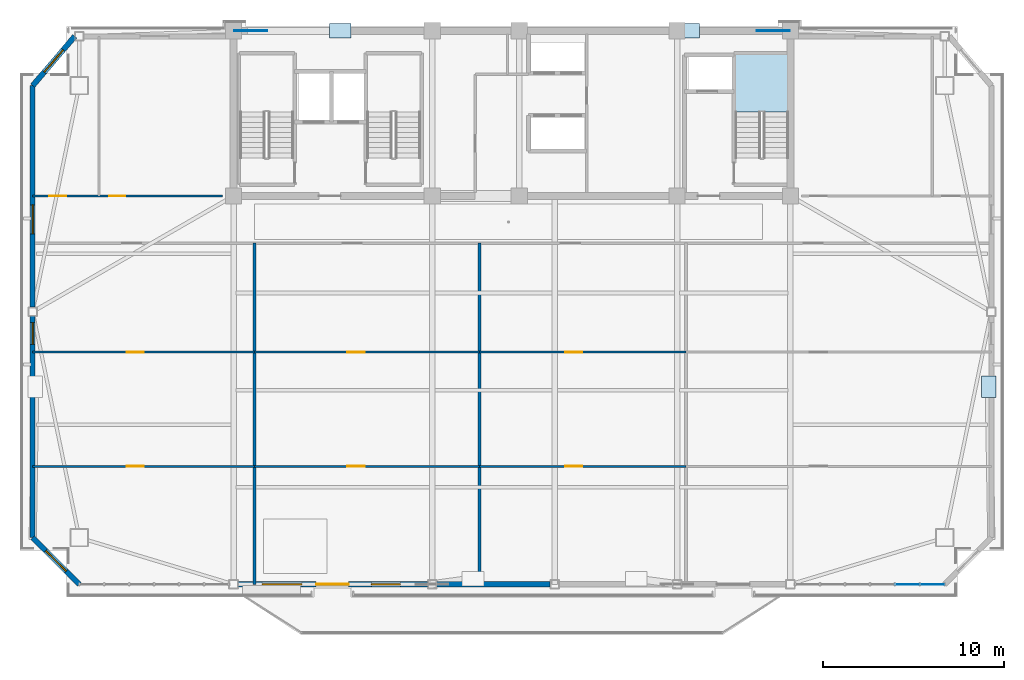
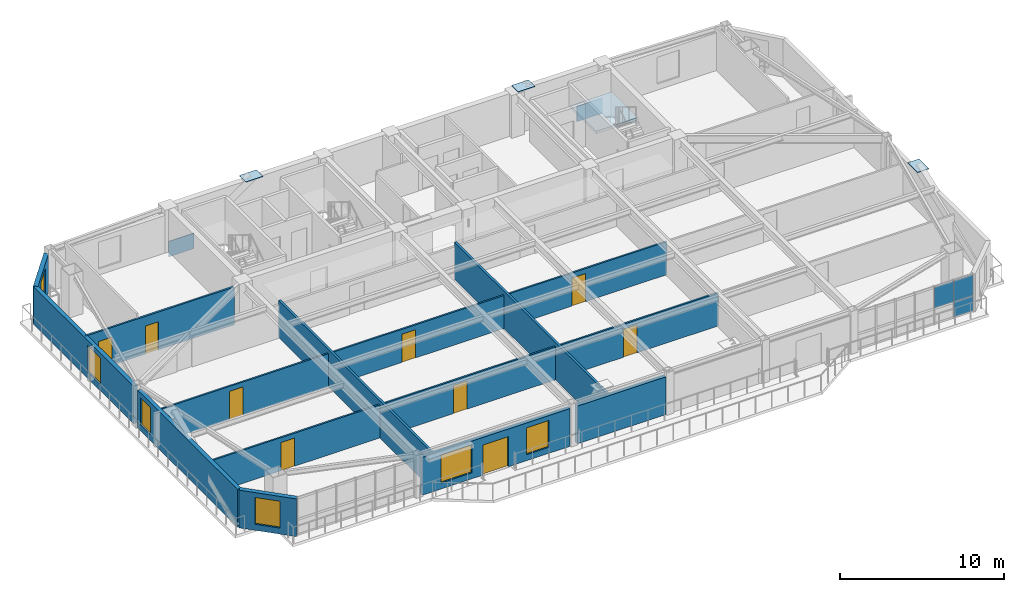
# One storey, part 8 of 18: 15 walls, 9 doors, 8 plates, 6 windows, 1 slab, 15 openings, 2 elements without a shape of their own.
"""IFC4 building model written with IfcOpenShell, lengths in metres."""

from ifc_helpers import new_model, si_unit, direction, frame, frame_2d, origin, origin_2d, place, context, subcontext, project, spatial, polyline, rectangle, outline, extrude, source, transform, mapped, material, layer, layer_set, type_object, element, fill, aggregate, save


model = new_model("IFC4")

# Units and contexts
model_context = context("Model", 3, precision=1e-05, world=origin(), true_north=direction((0.0, 1.0)))
body_context = subcontext(model_context, "Body", "Model", "MODEL_VIEW")
ifc_project = project(units=[si_unit("LENGTHUNIT", "METRE"), si_unit("AREAUNIT", "SQUARE_METRE"), si_unit("VOLUMEUNIT", "CUBIC_METRE"), si_unit("PLANEANGLEUNIT", "RADIAN"), si_unit("MASSUNIT", "GRAM", prefix="KILO")], contexts=[model_context])

# Site, building, storey
site_placement = place(None, origin())
site = spatial("IfcSite", under=ifc_project, at=site_placement, CompositionType="ELEMENT")
building_placement = place(site_placement, origin())
building = spatial("IfcBuilding", under=site, at=building_placement, Name="Giltprow Tower", CompositionType="ELEMENT")
storey_placement = place(building_placement, frame((0.0, 0.0, 258.699951171875)))
storey = spatial("IfcBuildingStorey", under=building, at=storey_placement, Name="L66", CompositionType="ELEMENT", Elevation=258.699951171875)

# Stair, slab
ifc_material_1 = material(Name="Concrete C40", Category="concrete")
stair_type = type_object("IfcStairType", Name="STR-ST-3", PredefinedType="HALF_TURN_STAIR", material=ifc_material_1)
stair_placement = place(storey_placement, origin())
stair = element("IfcStair", 1, at=stair_placement, inside=storey, type_object=stair_type, Name="L66 Core Exit Stair ST-3", PredefinedType="HALF_TURN_STAIR")
ifc_layer_1 = layer(ifc_material_1, 0.196044921875, Name="Concrete C40")
ifc_layer_set_1 = layer_set([ifc_layer_1], Name="Concrete C40")
slab_type = type_object("IfcSlabType", Name="SLD-ST-3", PredefinedType="LANDING", material=ifc_layer_set_1)
slab_placement = place(storey_placement, frame((0.0, 0.0, 1.504150390625)))
slab = element("IfcSlab", 2, at=slab_placement, type_object=slab_type, Name="ST-3 landing 1", PredefinedType="LANDING", context=body_context, shape_type="SweptSolid", body=[
    extrude(outline(polyline([(50.4599609375, 42.070068359375), (50.4599609375, 45.25), (47.5, 45.25), (47.5, 42.070068359375), (50.4599609375, 42.070068359375)])), origin(), (0.0, 0.0, 1.0), 0.19580078125),
])
aggregate(stair, [slab])

# Plates
ifc_material_2 = material(Name="Structural steel Q420GJC", Category="steel")
plate_type_1 = type_object("IfcPlateType", Name="PLT-NODE-MBN1", PredefinedType="USERDEFINED", material=ifc_material_2)
shared_shape_1 = source(origin(), body_context, "Body", "SweptSolid", [
    extrude(rectangle(XDim=1.800048828125, YDim=0.050048828125, at=origin_2d()), origin(), (0.0, 0.0, 1.0), 1.14990234375),
])
for number, where, z_axis, x_axis, name in (
    (3, (20.800048828125, 46.550048828125, -0.71484375), (0.0, 0.0, 1.0), (1.0, 0.0, 0.0), "Mega-Brace Node L66-N-LA"),
    (4, (49.60009765625, 46.550048828125, -0.71484375), (0.0, 0.0, 1.0), (1.0, 0.0, 0.0), "Mega-Brace Node L66-N-RA"),
):
    element("IfcPlate", number, at=place(storey_placement, frame(where, z_axis=z_axis, x_axis=x_axis)), inside=storey, type_object=plate_type_1, Name=name, ObjectType="GUSSET", PredefinedType="USERDEFINED", context=body_context, shape_type="MappedRepresentation", body=[
        mapped(shared_shape_1, transform((0.0, 0.0, 0.0), x_axis=(1.0, 0.0, 0.0), y_axis=(0.0, 1.0, 0.0), z_axis=(0.0, 0.0, 1.0), scale=1.0)),
    ])
plate_type_2 = type_object("IfcPlateType", Name="PLT-CAP-SEAL", PredefinedType="USERDEFINED", material=ifc_material_2)
shared_shape_2 = source(origin(), body_context, "Body", "SweptSolid", [
    extrude(rectangle(XDim=1.199951171875, YDim=0.800048828125, at=origin_2d()), origin(), (0.0, 0.0, 1.0), 0.034912109375),
])
for number, where, z_axis, x_axis, name in (
    (5, (25.73291015625, 46.550048828125, 3.24267578125), (0.0, 0.0, 1.0), (1.0, 0.0, 0.0), "Mega-Brace Node L66-N-LB"),
    (6, (44.93310546875, 46.550048828125, 3.24267578125), (0.0, 0.0, 1.0), (1.0, 0.0, 0.0), "Mega-Brace Node L66-N-RB"),
    (7, (61.48388671875, 26.93505859375, 3.3828125), (0.0, 0.0, 1.0), (0.0, 1.0, 0.0), "Mega-Brace Node L66-E-DB"),
):
    element("IfcPlate", number, at=place(storey_placement, frame(where, z_axis=z_axis, x_axis=x_axis)), inside=storey, type_object=plate_type_2, Name=name, ObjectType="SPLICE", PredefinedType="USERDEFINED", context=body_context, shape_type="MappedRepresentation", body=[
        mapped(shared_shape_2, transform((0.0, 0.0, 0.0), x_axis=(1.0, 0.0, 0.0), y_axis=(0.0, 1.0, 0.0), z_axis=(0.0, 0.0, 1.0), scale=1.0)),
    ])

# Curtain wall, plates
ifc_material_3 = material(Name="Anodized bronze", Category="metal")
ifc_layer_2 = layer(ifc_material_3, 0.179931640625, Name="Anodized bronze")
ifc_layer_set_2 = layer_set([ifc_layer_2], Name="Anodized bronze")
curtain_wall_type = type_object("IfcCurtainWallType", Name="CW-RES-SKY", PredefinedType="NOTDEFINED", material=ifc_layer_set_2)
curtain_wall_placement = place(storey_placement, origin())
curtain_wall = element("IfcCurtainWall", 8, at=curtain_wall_placement, inside=storey, type_object=curtain_wall_type, Name="L66 South Recessed Curtain Wall 6", PredefinedType="NOTDEFINED")
ifc_material_4 = material(Name="Insulated glass", Category="glass")
plate_type_3 = type_object("IfcPlateType", Name="CW-PANEL-IGU-28", PredefinedType="CURTAIN_PANEL", material=ifc_material_4)
shared_shape_3 = source(origin(), body_context, "Body", "SweptSolid", [
    extrude(rectangle(XDim=1.345947265625, YDim=0.028076171875, at=origin_2d()), origin(), (0.0, 0.0, 1.0), 1.114013671875),
])
plate_1_placement = place(storey_placement, frame((58.364990234375, 16.044921875, 0.05419921875), z_axis=(0.0, 0.0, 1.0), x_axis=(1.0, 0.0, 0.0)))
plate_1 = element("IfcPlate", 9, at=plate_1_placement, type_object=plate_type_3, Name="L66 South Recessed Curtain Wall 6 Glazing Panel 6-1", PredefinedType="CURTAIN_PANEL", context=body_context, shape_type="MappedRepresentation", body=[
    mapped(shared_shape_3, transform((0.0, 0.0, 0.0), x_axis=(1.0, 0.0, 0.0), y_axis=(0.0, 1.0, 0.0), z_axis=(0.0, 0.0, 1.0), scale=1.0)),
])
shared_shape_4 = source(origin(), body_context, "Body", "SweptSolid", [
    extrude(rectangle(XDim=1.345947265625, YDim=0.028076171875, at=origin_2d()), origin(), (0.0, 0.0, 1.0), 1.56494140625),
])
plate_2_placement = place(storey_placement, frame((56.989990234375, 16.044921875, 1.195556640625), z_axis=(0.0, 0.0, 1.0), x_axis=(1.0, 0.0, 0.0)))
plate_2 = element("IfcPlate", 10, at=plate_2_placement, type_object=plate_type_3, Name="L66 South Recessed Curtain Wall 6 Glazing Panel 5-2", PredefinedType="CURTAIN_PANEL", context=body_context, shape_type="MappedRepresentation", body=[
    mapped(shared_shape_4, transform((0.0, 0.0, 0.0), x_axis=(1.0, 0.0, 0.0), y_axis=(0.0, 1.0, 0.0), z_axis=(0.0, 0.0, 1.0), scale=1.0)),
])
plate_3_placement = place(storey_placement, frame((58.364990234375, 16.044921875, 1.195556640625), z_axis=(0.0, 0.0, 1.0), x_axis=(1.0, 0.0, 0.0)))
plate_3 = element("IfcPlate", 11, at=plate_3_placement, type_object=plate_type_3, Name="L66 South Recessed Curtain Wall 6 Glazing Panel 6-2", PredefinedType="CURTAIN_PANEL", context=body_context, shape_type="MappedRepresentation", body=[
    mapped(shared_shape_4, transform((0.0, 0.0, 0.0), x_axis=(1.0, 0.0, 0.0), y_axis=(0.0, 1.0, 0.0), z_axis=(0.0, 0.0, 1.0), scale=1.0)),
])
aggregate(curtain_wall, [plate_2, plate_1, plate_3])

# Wall, opening, window
ifc_material_5 = material(Name="Precast concrete C40", Category="concrete")
ifc_layer_3 = layer(ifc_material_5, 0.300048828125, Name="Precast concrete C40")
ifc_layer_set_3 = layer_set([ifc_layer_3], Name="Precast concrete C40")
wall_type_1 = type_object("IfcWallType", Name="EW-NOTCH-CHAMFER-300", PredefinedType="SOLIDWALL", material=ifc_layer_set_3)
wall_1_placement = place(storey_placement, frame((8.779052734375, 18.614013671875, 0.0), z_axis=(0.0, 0.0, 1.0), x_axis=(0.707073180636, -0.70714038014, 0.0)))
wall_1 = element("IfcWall", 12, at=wall_1_placement, inside=storey, type_object=wall_type_1, Name="L66 Corner Notch Wall SW", PredefinedType="SOLIDWALL", context=body_context, shape_type="SweptSolid", body=[
    extrude(rectangle(XDim=3.633056640625, YDim=0.300048828125, at=frame_2d((1.81640625, 0.0))), origin(), (0.0, 0.0, 1.0), 2.81494140625),
])
opening_1_placement = place(wall_1_placement, frame((1.01708984375, 0.0, 0.449951171875)))
opening_1 = element("IfcOpeningElement", 13, at=opening_1_placement, cuts=wall_1, Name="Opening WN17", PredefinedType="OPENING", context=body_context, shape_type="SweptSolid", body=[
    extrude(rectangle(XDim=1.60009765625, YDim=2.0, at=frame_2d((0.800048828125, 1.0))), frame((0.0, 0.159912109375, 0.0), z_axis=(0.0, -1.0, 0.0), x_axis=(1.0, 0.0, 0.0)), (0.0, 0.0, 1.0), 0.320068359375),
])
window_type_1 = type_object("IfcWindowType", Name="WN-COR-1600x2000", PartitioningType="SINGLE_PANEL", PredefinedType="WINDOW", material=ifc_material_4)
shared_shape_5 = source(origin(), body_context, "Body", "SweptSolid", [
    extrude(rectangle(XDim=1.60009765625, YDim=2.0, at=frame_2d((0.800048828125, 1.0))), frame((0.0, 0.030029296875, 0.0), z_axis=(0.0, -1.0, 0.0), x_axis=(1.0, 0.0, 0.0)), (0.0, 0.0, 1.0), 0.06005859375),
])
window_1_placement = place(opening_1_placement, origin())
window_1 = element("IfcWindow", 14, at=window_1_placement, inside=storey, type_object=window_type_1, Name="L66 Corner Notch Window SW", OverallHeight=2.0, OverallWidth=1.60009765625, PartitioningType="SINGLE_PANEL", PredefinedType="WINDOW", context=body_context, shape_type="MappedRepresentation", body=[
    mapped(shared_shape_5, transform((0.0, 0.0, 0.0), x_axis=(1.0, 0.0, 0.0), y_axis=(0.0, 1.0, 0.0), z_axis=(0.0, 0.0, 1.0), scale=1.0)),
])
fill(opening_1, window_1)

wall_2_placement = place(storey_placement, frame((11.097900390625, 46.25, 0.0), z_axis=(0.0, 0.0, 1.0), x_axis=(-0.648764006605, -0.760989660727, 0.0)))
wall_2 = element("IfcWall", 15, at=wall_2_placement, inside=storey, type_object=wall_type_1, Name="L66 Corner Notch Wall NW", PredefinedType="SOLIDWALL", context=body_context, shape_type="SweptSolid", body=[
    extrude(rectangle(XDim=3.57421875, YDim=0.300048828125, at=frame_2d((1.787109375, 0.0))), origin(), (0.0, 0.0, 1.0), 2.81494140625),
])
opening_2_placement = place(wall_2_placement, frame((0.987060546875, 0.0, 0.449951171875)))
opening_2 = element("IfcOpeningElement", 16, at=opening_2_placement, cuts=wall_2, Name="Opening WN17", PredefinedType="OPENING", context=body_context, shape_type="SweptSolid", body=[
    extrude(rectangle(XDim=1.60009765625, YDim=2.0, at=frame_2d((0.800048828125, 1.0))), frame((0.0, 0.159912109375, 0.0), z_axis=(0.0, -1.0, 0.0), x_axis=(1.0, 0.0, 0.0)), (0.0, 0.0, 1.0), 0.320068359375),
])
window_2_placement = place(opening_2_placement, origin())
window_2 = element("IfcWindow", 17, at=window_2_placement, inside=storey, type_object=window_type_1, Name="L66 Corner Notch Window NW", OverallHeight=2.0, OverallWidth=1.60009765625, PartitioningType="SINGLE_PANEL", PredefinedType="WINDOW", context=body_context, shape_type="MappedRepresentation", body=[
    mapped(shared_shape_5, transform((0.0, 0.0, 0.0), x_axis=(1.0, 0.0, 0.0), y_axis=(0.0, 1.0, 0.0), z_axis=(0.0, 0.0, 1.0), scale=1.0)),
])
fill(opening_2, window_2)

# Wall, openings, windows, door
ifc_layer_4 = layer(ifc_material_5, 0.280029296875, Name="Precast concrete C40")
ifc_layer_set_4 = layer_set([ifc_layer_4], Name="Precast concrete C40")
wall_type_2 = type_object("IfcWallType", Name="EW-TOW-BRONZE-280", PredefinedType="SOLIDWALL", material=ifc_layer_set_4)
wall_3_placement = place(storey_placement, frame((20.10009765625, 16.044921875, 0.0), z_axis=(0.0, 0.0, 1.0), x_axis=(1.0, 0.0, 0.0)))
wall_3 = element("IfcWall", 18, at=wall_3_placement, inside=storey, type_object=wall_type_2, Name="L66 South Expressed Frame Wall 2", PredefinedType="SOLIDWALL", context=body_context, shape_type="SweptSolid", body=[
    extrude(rectangle(XDim=10.449951171875, YDim=0.280029296875, at=frame_2d((5.22509765625, 0.0))), origin(), (0.0, 0.0, 1.0), 2.81494140625),
])
opening_3_placement = place(wall_3_placement, frame((4.300048828125, 0.0, 0.0)))
opening_3 = element("IfcOpeningElement", 19, at=opening_3_placement, cuts=wall_3, Name="Opening ED25", PredefinedType="OPENING", context=body_context, shape_type="SweptSolid", body=[
    extrude(rectangle(XDim=1.800048828125, YDim=2.25, at=frame_2d((0.89990234375, 1.125))), frame((0.0, 0.14990234375, 0.0), z_axis=(0.0, -1.0, 0.0), x_axis=(1.0, 0.0, 0.0)), (0.0, 0.0, 1.0), 0.300048828125),
])
opening_4_placement = place(wall_3_placement, frame((1.320068359375, 0.0, 0.449951171875)))
opening_4 = element("IfcOpeningElement", 20, at=opening_4_placement, cuts=wall_3, Name="Opening WN27", PredefinedType="OPENING", context=body_context, shape_type="SweptSolid", body=[
    extrude(rectangle(XDim=2.199951171875, YDim=2.10009765625, at=frame_2d((1.10009765625, 1.050048828125))), frame((0.0, 0.14990234375, 0.0), z_axis=(0.0, -1.0, 0.0), x_axis=(1.0, 0.0, 0.0)), (0.0, 0.0, 1.0), 0.300048828125),
])
opening_5_placement = place(wall_3_placement, frame((7.35009765625, 0.0, 0.449951171875)))
opening_5 = element("IfcOpeningElement", 21, at=opening_5_placement, cuts=wall_3, Name="Opening WN17", PredefinedType="OPENING", context=body_context, shape_type="SweptSolid", body=[
    extrude(rectangle(XDim=1.60009765625, YDim=2.0, at=frame_2d((0.800048828125, 1.0))), frame((0.0, 0.14990234375, 0.0), z_axis=(0.0, -1.0, 0.0), x_axis=(1.0, 0.0, 0.0)), (0.0, 0.0, 1.0), 0.300048828125),
])
window_3_placement = place(opening_5_placement, origin())
window_3 = element("IfcWindow", 22, at=window_3_placement, inside=storey, type_object=window_type_1, Name="L66 South Window 2B", OverallHeight=2.0, OverallWidth=1.60009765625, PartitioningType="SINGLE_PANEL", PredefinedType="WINDOW", context=body_context, shape_type="MappedRepresentation", body=[
    mapped(shared_shape_5, transform((0.0, 0.0, 0.0), x_axis=(1.0, 0.0, 0.0), y_axis=(0.0, 1.0, 0.0), z_axis=(0.0, 0.0, 1.0), scale=1.0)),
])
fill(opening_5, window_3)
ifc_material_6 = material(Name="Anodized bronze and glass", Category="glass")
door_type_1 = type_object("IfcDoorType", Name="DR-BALC-SLIDE-1800", OperationType="SLIDING_TO_LEFT", PredefinedType="DOOR", material=ifc_material_6)
shared_shape_6 = source(origin(), body_context, "Body", "SweptSolid", [
    extrude(rectangle(XDim=1.800048828125, YDim=2.25, at=frame_2d((0.89990234375, 1.125))), frame((0.0, 0.02490234375, 0.0), z_axis=(0.0, -1.0, 0.0), x_axis=(1.0, 0.0, 0.0)), (0.0, 0.0, 1.0), 0.050048828125),
])
door_1_placement = place(opening_3_placement, origin())
door_1 = element("IfcDoor", 23, at=door_1_placement, inside=storey, type_object=door_type_1, Name="L66 Waterfront Balcony Sliding Door 1", OperationType="SLIDING_TO_LEFT", OverallHeight=2.25, OverallWidth=1.800048828125, PredefinedType="DOOR", context=body_context, shape_type="MappedRepresentation", body=[
    mapped(shared_shape_6, transform((0.0, 0.0, 0.0), x_axis=(1.0, 0.0, 0.0), y_axis=(0.0, 1.0, 0.0), z_axis=(0.0, 0.0, 1.0), scale=1.0)),
])
fill(opening_3, door_1)
window_type_2 = type_object("IfcWindowType", Name="WN-RES-2200x2100", PartitioningType="TRIPLE_PANEL_VERTICAL", PredefinedType="WINDOW", material=ifc_material_4)
shared_shape_7 = source(origin(), body_context, "Body", "SweptSolid", [
    extrude(rectangle(XDim=2.199951171875, YDim=2.10009765625, at=frame_2d((1.10009765625, 1.050048828125))), frame((0.0, 0.030029296875, 0.0), z_axis=(0.0, -1.0, 0.0), x_axis=(1.0, 0.0, 0.0)), (0.0, 0.0, 1.0), 0.06005859375),
])
window_4_placement = place(opening_4_placement, origin())
window_4 = element("IfcWindow", 24, at=window_4_placement, inside=storey, type_object=window_type_2, Name="L66 South Window 2A", OverallHeight=2.10009765625, OverallWidth=2.199951171875, PartitioningType="SINGLE_PANEL", PredefinedType="WINDOW", context=body_context, shape_type="MappedRepresentation", body=[
    mapped(shared_shape_7, transform((0.0, 0.0, 0.0), x_axis=(1.0, 0.0, 0.0), y_axis=(0.0, 1.0, 0.0), z_axis=(0.0, 0.0, 1.0), scale=1.0)),
])
fill(opening_4, window_4)

# Wall
wall_4_placement = place(storey_placement, frame((31.050048828125, 16.044921875, 0.0), z_axis=(0.0, 0.0, 1.0), x_axis=(1.0, 0.0, 0.0)))
element("IfcWall", 25, at=wall_4_placement, inside=storey, type_object=wall_type_2, Name="L66 South Expressed Frame Wall 3", PredefinedType="SOLIDWALL", context=body_context, shape_type="SweptSolid", body=[
    extrude(rectangle(XDim=6.25, YDim=0.280029296875, at=frame_2d((3.125, 0.0))), origin(), (0.0, 0.0, 1.0), 2.81494140625),
])

# Wall, opening, window
wall_5_placement = place(storey_placement, frame((8.779052734375, 18.614013671875, 0.0), z_axis=(0.0, 0.0, 1.0), x_axis=(0.0, 1.0, 0.0)))
wall_5 = element("IfcWall", 26, at=wall_5_placement, inside=storey, type_object=wall_type_2, Name="L66 W Wing Masonry Wall 1", PredefinedType="SOLIDWALL", context=body_context, shape_type="SweptSolid", body=[
    extrude(rectangle(XDim=12.2080078125, YDim=0.280029296875, at=frame_2d((6.10400390625, 0.0))), origin(), (0.0, 0.0, 1.0), 2.81494140625),
])
opening_6_placement = place(wall_5_placement, frame((10.653076171875, 0.0, 0.449951171875)))
opening_6 = element("IfcOpeningElement", 27, at=opening_6_placement, cuts=wall_5, Name="Opening WN11", PredefinedType="OPENING", context=body_context, shape_type="SweptSolid", body=[
    extrude(rectangle(XDim=1.199951171875, YDim=2.0, at=frame_2d((0.60009765625, 1.0))), frame((0.0, 0.14990234375, 0.0), z_axis=(0.0, -1.0, 0.0), x_axis=(1.0, 0.0, 0.0)), (0.0, 0.0, 1.0), 0.300048828125),
])
window_type_3 = type_object("IfcWindowType", Name="WN-LANCET-1200x2000", PartitioningType="SINGLE_PANEL", PredefinedType="WINDOW", material=ifc_material_4)
shared_shape_8 = source(origin(), body_context, "Body", "SweptSolid", [
    extrude(rectangle(XDim=1.199951171875, YDim=2.0, at=frame_2d((0.60009765625, 1.0))), frame((0.0, 0.030029296875, 0.0), z_axis=(0.0, -1.0, 0.0), x_axis=(1.0, 0.0, 0.0)), (0.0, 0.0, 1.0), 0.06005859375),
])
window_5_placement = place(opening_6_placement, origin())
window_5 = element("IfcWindow", 28, at=window_5_placement, inside=storey, type_object=window_type_3, Name="L66 W Wing Window 1-1", OverallHeight=2.0, OverallWidth=1.199951171875, PartitioningType="SINGLE_PANEL", PredefinedType="WINDOW", context=body_context, shape_type="MappedRepresentation", body=[
    mapped(shared_shape_8, transform((0.0, 0.0, 0.0), x_axis=(1.0, 0.0, 0.0), y_axis=(0.0, 1.0, 0.0), z_axis=(0.0, 0.0, 1.0), scale=1.0)),
])
fill(opening_6, window_5)

wall_6_placement = place(storey_placement, frame((8.779052734375, 31.322021484375, 0.0), z_axis=(0.0, 0.0, 1.0), x_axis=(0.0, 1.0, 0.0)))
wall_6 = element("IfcWall", 29, at=wall_6_placement, inside=storey, type_object=wall_type_2, Name="L66 W Wing Masonry Wall 2", PredefinedType="SOLIDWALL", context=body_context, shape_type="SweptSolid", body=[
    extrude(rectangle(XDim=12.2080078125, YDim=0.280029296875, at=frame_2d((6.10400390625, 0.0))), origin(), (0.0, 0.0, 1.0), 2.81494140625),
])
opening_7_placement = place(wall_6_placement, frame((4.032958984375, 0.0, 0.449951171875)))
opening_7 = element("IfcOpeningElement", 30, at=opening_7_placement, cuts=wall_6, Name="Opening WN17", PredefinedType="OPENING", context=body_context, shape_type="SweptSolid", body=[
    extrude(rectangle(XDim=1.60009765625, YDim=2.0, at=frame_2d((0.800048828125, 1.0))), frame((0.0, 0.14990234375, 0.0), z_axis=(0.0, -1.0, 0.0), x_axis=(1.0, 0.0, 0.0)), (0.0, 0.0, 1.0), 0.300048828125),
])
window_6_placement = place(opening_7_placement, origin())
window_6 = element("IfcWindow", 31, at=window_6_placement, inside=storey, type_object=window_type_1, Name="L66 W Wing Window 2-1", OverallHeight=2.0, OverallWidth=1.60009765625, PartitioningType="SINGLE_PANEL", PredefinedType="WINDOW", context=body_context, shape_type="MappedRepresentation", body=[
    mapped(shared_shape_5, transform((0.0, 0.0, 0.0), x_axis=(1.0, 0.0, 0.0), y_axis=(0.0, 1.0, 0.0), z_axis=(0.0, 0.0, 1.0), scale=1.0)),
])
fill(opening_7, window_6)

# Walls
ifc_material_7 = material(Name="Gypsum stud partition", Category="gypsum")
ifc_layer_5 = layer(ifc_material_7, 0.159912109375, Name="Gypsum stud partition")
ifc_layer_set_5 = layer_set([ifc_layer_5], Name="Gypsum stud partition")
wall_type_3 = type_object("IfcWallType", Name="IW-DEMISE-160", PredefinedType="PARTITIONING", material=ifc_layer_set_5)
for number, where, z_axis, x_axis, name in (
    (32, (21.0, 16.044921875, 0.0), (0.0, 0.0, 1.0), (0.0, 1.0, 0.0), "L66 Apartment Party Wall 1"),
    (33, (33.39990234375, 16.044921875, 0.0), (0.0, 0.0, 1.0), (0.0, 1.0, 0.0), "L66 Apartment Party Wall 2"),
):
    element("IfcWall", number, at=place(storey_placement, frame(where, z_axis=z_axis, x_axis=x_axis)), inside=storey, type_object=wall_type_3, Name=name, PredefinedType="PARTITIONING", context=body_context, shape_type="SweptSolid", body=[
        extrude(rectangle(XDim=18.80517578125, YDim=0.159912109375, at=frame_2d((9.402587890625, 0.0))), origin(), (0.0, 0.0, 1.0), 2.77001953125),
    ])

# Wall, opening, door
ifc_layer_6 = layer(ifc_material_7, 0.1201171875, Name="Gypsum stud partition")
ifc_layer_set_6 = layer_set([ifc_layer_6], Name="Gypsum stud partition")
wall_type_4 = type_object("IfcWallType", Name="IW-ROOM-120", PredefinedType="PARTITIONING", material=ifc_layer_set_6)
wall_7_placement = place(storey_placement, frame((8.779052734375, 22.5439453125, 0.0), z_axis=(0.0, 0.0, 1.0), x_axis=(1.0, 0.0, 0.0)))
wall_7 = element("IfcWall", 34, at=wall_7_placement, inside=storey, type_object=wall_type_4, Name="L66 Special Split 1", PredefinedType="PARTITIONING", context=body_context, shape_type="SweptSolid", body=[
    extrude(rectangle(XDim=12.220947265625, YDim=0.1201171875, at=frame_2d((6.1103515625, 0.0))), origin(), (0.0, 0.0, 1.0), 2.469970703125),
])
opening_8_placement = place(wall_7_placement, frame((5.174072265625, 0.0, 0.0)))
opening_8 = element("IfcOpeningElement", 35, at=opening_8_placement, cuts=wall_7, Name="Opening ID11", PredefinedType="OPENING", context=body_context, shape_type="SweptSolid", body=[
    extrude(rectangle(XDim=0.949951171875, YDim=2.10009765625, at=frame_2d((0.47509765625, 1.050048828125))), frame((0.0, 0.070068359375, 0.0), z_axis=(0.0, -1.0, 0.0), x_axis=(1.0, 0.0, 0.0)), (0.0, 0.0, 1.0), 0.14013671875),
])
ifc_material_8 = material(Name="Engineered timber", Category="wood")
door_type_2 = type_object("IfcDoorType", Name="DR-ROOM-950", OperationType="SINGLE_SWING_RIGHT", PredefinedType="DOOR", material=ifc_material_8)
shared_shape_9 = source(origin(), body_context, "Body", "SweptSolid", [
    extrude(rectangle(XDim=0.949951171875, YDim=2.10009765625, at=frame_2d((0.47509765625, 1.050048828125))), frame((0.0, 0.02490234375, 0.0), z_axis=(0.0, -1.0, 0.0), x_axis=(1.0, 0.0, 0.0)), (0.0, 0.0, 1.0), 0.050048828125),
])
door_2_placement = place(opening_8_placement, origin())
door_2 = element("IfcDoor", 36, at=door_2_placement, inside=storey, type_object=door_type_2, Name="L66 Gourmet Delicatessen Shop 1 South Door", OperationType="SINGLE_SWING_RIGHT", OverallHeight=2.10009765625, OverallWidth=0.949951171875, PredefinedType="DOOR", context=body_context, shape_type="MappedRepresentation", body=[
    mapped(shared_shape_9, transform((0.0, 0.0, 0.0), x_axis=(1.0, 0.0, 0.0), y_axis=(0.0, 1.0, 0.0), z_axis=(0.0, 0.0, 1.0), scale=1.0)),
])
fill(opening_8, door_2)

wall_8_placement = place(storey_placement, frame((8.779052734375, 28.842041015625, 0.0), z_axis=(0.0, 0.0, 1.0), x_axis=(1.0, 0.0, 0.0)))
wall_8 = element("IfcWall", 37, at=wall_8_placement, inside=storey, type_object=wall_type_4, Name="L66 Special Split 2", PredefinedType="PARTITIONING", context=body_context, shape_type="SweptSolid", body=[
    extrude(rectangle(XDim=12.220947265625, YDim=0.1201171875, at=frame_2d((6.1103515625, 0.0))), origin(), (0.0, 0.0, 1.0), 2.469970703125),
])
opening_9_placement = place(wall_8_placement, frame((5.174072265625, 0.0, 0.0)))
opening_9 = element("IfcOpeningElement", 38, at=opening_9_placement, cuts=wall_8, Name="Opening ID11", PredefinedType="OPENING", context=body_context, shape_type="SweptSolid", body=[
    extrude(rectangle(XDim=0.949951171875, YDim=2.10009765625, at=frame_2d((0.47509765625, 1.050048828125))), frame((0.0, 0.070068359375, 0.0), z_axis=(0.0, -1.0, 0.0), x_axis=(1.0, 0.0, 0.0)), (0.0, 0.0, 1.0), 0.14013671875),
])
door_3_placement = place(opening_9_placement, origin())
door_3 = element("IfcDoor", 39, at=door_3_placement, inside=storey, type_object=door_type_2, Name="L66 Gourmet Delicatessen Shop 1 Mid Door", OperationType="SINGLE_SWING_LEFT", OverallHeight=2.10009765625, OverallWidth=0.949951171875, PredefinedType="DOOR", context=body_context, shape_type="MappedRepresentation", body=[
    mapped(shared_shape_9, transform((0.0, 0.0, 0.0), x_axis=(1.0, 0.0, 0.0), y_axis=(0.0, 1.0, 0.0), z_axis=(0.0, 0.0, 1.0), scale=1.0)),
])
fill(opening_9, door_3)

wall_9_placement = place(storey_placement, frame((21.0, 22.5439453125, 0.0), z_axis=(0.0, 0.0, 1.0), x_axis=(1.0, 0.0, 0.0)))
wall_9 = element("IfcWall", 40, at=wall_9_placement, inside=storey, type_object=wall_type_4, Name="L66 Special Split 1", PredefinedType="PARTITIONING", context=body_context, shape_type="SweptSolid", body=[
    extrude(rectangle(XDim=12.39990234375, YDim=0.1201171875, at=frame_2d((6.199951171875, 0.0))), origin(), (0.0, 0.0, 1.0), 2.469970703125),
])
opening_10_placement = place(wall_9_placement, frame((5.1259765625, 0.0, 0.0)))
opening_10 = element("IfcOpeningElement", 41, at=opening_10_placement, cuts=wall_9, Name="Opening ID11", PredefinedType="OPENING", context=body_context, shape_type="SweptSolid", body=[
    extrude(rectangle(XDim=0.949951171875, YDim=2.10009765625, at=frame_2d((0.47509765625, 1.050048828125))), frame((0.0, 0.070068359375, 0.0), z_axis=(0.0, -1.0, 0.0), x_axis=(1.0, 0.0, 0.0)), (0.0, 0.0, 1.0), 0.14013671875),
])
door_4_placement = place(opening_10_placement, origin())
door_4 = element("IfcDoor", 42, at=door_4_placement, inside=storey, type_object=door_type_2, Name="L66 Residents Sky Club Lounge South Door", OperationType="SINGLE_SWING_LEFT", OverallHeight=2.10009765625, OverallWidth=0.949951171875, PredefinedType="DOOR", context=body_context, shape_type="MappedRepresentation", body=[
    mapped(shared_shape_9, transform((0.0, 0.0, 0.0), x_axis=(1.0, 0.0, 0.0), y_axis=(0.0, 1.0, 0.0), z_axis=(0.0, 0.0, 1.0), scale=1.0)),
])
fill(opening_10, door_4)

wall_10_placement = place(storey_placement, frame((21.0, 28.842041015625, 0.0), z_axis=(0.0, 0.0, 1.0), x_axis=(1.0, 0.0, 0.0)))
wall_10 = element("IfcWall", 43, at=wall_10_placement, inside=storey, type_object=wall_type_4, Name="L66 Special Split 2", PredefinedType="PARTITIONING", context=body_context, shape_type="SweptSolid", body=[
    extrude(rectangle(XDim=12.39990234375, YDim=0.1201171875, at=frame_2d((6.199951171875, 0.0))), origin(), (0.0, 0.0, 1.0), 2.469970703125),
])
opening_11_placement = place(wall_10_placement, frame((5.1259765625, 0.0, 0.0)))
opening_11 = element("IfcOpeningElement", 44, at=opening_11_placement, cuts=wall_10, Name="Opening ID11", PredefinedType="OPENING", context=body_context, shape_type="SweptSolid", body=[
    extrude(rectangle(XDim=0.949951171875, YDim=2.10009765625, at=frame_2d((0.47509765625, 1.050048828125))), frame((0.0, 0.070068359375, 0.0), z_axis=(0.0, -1.0, 0.0), x_axis=(1.0, 0.0, 0.0)), (0.0, 0.0, 1.0), 0.14013671875),
])
door_5_placement = place(opening_11_placement, origin())
door_5 = element("IfcDoor", 45, at=door_5_placement, inside=storey, type_object=door_type_2, Name="L66 Residents Sky Club Lounge Mid Door", OperationType="SINGLE_SWING_RIGHT", OverallHeight=2.10009765625, OverallWidth=0.949951171875, PredefinedType="DOOR", context=body_context, shape_type="MappedRepresentation", body=[
    mapped(shared_shape_9, transform((0.0, 0.0, 0.0), x_axis=(1.0, 0.0, 0.0), y_axis=(0.0, 1.0, 0.0), z_axis=(0.0, 0.0, 1.0), scale=1.0)),
])
fill(opening_11, door_5)

wall_11_placement = place(storey_placement, frame((33.39990234375, 22.5439453125, 0.0), z_axis=(0.0, 0.0, 1.0), x_axis=(1.0, 0.0, 0.0)))
wall_11 = element("IfcWall", 46, at=wall_11_placement, inside=storey, type_object=wall_type_4, Name="L66 Special Split 1", PredefinedType="PARTITIONING", context=body_context, shape_type="SweptSolid", body=[
    extrude(rectangle(XDim=11.400146484375, YDim=0.1201171875, at=frame_2d((5.7001953125, 0.0))), origin(), (0.0, 0.0, 1.0), 2.469970703125),
])
opening_12_placement = place(wall_11_placement, frame((4.72607421875, 0.0, 0.0)))
opening_12 = element("IfcOpeningElement", 47, at=opening_12_placement, cuts=wall_11, Name="Opening ID11", PredefinedType="OPENING", context=body_context, shape_type="SweptSolid", body=[
    extrude(rectangle(XDim=0.949951171875, YDim=2.10009765625, at=frame_2d((0.47509765625, 1.050048828125))), frame((0.0, 0.070068359375, 0.0), z_axis=(0.0, -1.0, 0.0), x_axis=(1.0, 0.0, 0.0)), (0.0, 0.0, 1.0), 0.14013671875),
])
door_6_placement = place(opening_12_placement, origin())
door_6 = element("IfcDoor", 48, at=door_6_placement, inside=storey, type_object=door_type_2, Name="L66 Residents Sky Club Lounge South Door", OperationType="SINGLE_SWING_RIGHT", OverallHeight=2.10009765625, OverallWidth=0.949951171875, PredefinedType="DOOR", context=body_context, shape_type="MappedRepresentation", body=[
    mapped(shared_shape_9, transform((0.0, 0.0, 0.0), x_axis=(1.0, 0.0, 0.0), y_axis=(0.0, 1.0, 0.0), z_axis=(0.0, 0.0, 1.0), scale=1.0)),
])
fill(opening_12, door_6)

wall_12_placement = place(storey_placement, frame((33.39990234375, 28.842041015625, 0.0), z_axis=(0.0, 0.0, 1.0), x_axis=(1.0, 0.0, 0.0)))
wall_12 = element("IfcWall", 49, at=wall_12_placement, inside=storey, type_object=wall_type_4, Name="L66 Special Split 2", PredefinedType="PARTITIONING", context=body_context, shape_type="SweptSolid", body=[
    extrude(rectangle(XDim=11.400146484375, YDim=0.1201171875, at=frame_2d((5.7001953125, 0.0))), origin(), (0.0, 0.0, 1.0), 2.469970703125),
])
opening_13_placement = place(wall_12_placement, frame((4.72607421875, 0.0, 0.0)))
opening_13 = element("IfcOpeningElement", 50, at=opening_13_placement, cuts=wall_12, Name="Opening ID11", PredefinedType="OPENING", context=body_context, shape_type="SweptSolid", body=[
    extrude(rectangle(XDim=0.949951171875, YDim=2.10009765625, at=frame_2d((0.47509765625, 1.050048828125))), frame((0.0, 0.070068359375, 0.0), z_axis=(0.0, -1.0, 0.0), x_axis=(1.0, 0.0, 0.0)), (0.0, 0.0, 1.0), 0.14013671875),
])
door_7_placement = place(opening_13_placement, origin())
door_7 = element("IfcDoor", 51, at=door_7_placement, inside=storey, type_object=door_type_2, Name="L66 Residents Sky Club Lounge Mid Door", OperationType="SINGLE_SWING_LEFT", OverallHeight=2.10009765625, OverallWidth=0.949951171875, PredefinedType="DOOR", context=body_context, shape_type="MappedRepresentation", body=[
    mapped(shared_shape_9, transform((0.0, 0.0, 0.0), x_axis=(1.0, 0.0, 0.0), y_axis=(0.0, 1.0, 0.0), z_axis=(0.0, 0.0, 1.0), scale=1.0)),
])
fill(opening_13, door_7)

# Wall, openings, doors
ifc_material_9 = material(Name="Concrete C30", Category="concrete")
ifc_layer_7 = layer(ifc_material_9, 0.1298828125, Name="Concrete C30")
ifc_layer_set_7 = layer_set([ifc_layer_7], Name="Concrete C30")
wall_type_5 = type_object("IfcWallType", Name="IW-WET-130", PredefinedType="PARTITIONING", material=ifc_layer_set_7)
wall_13_placement = place(storey_placement, frame((8.779052734375, 37.449951171875, 0.0), z_axis=(0.0, 0.0, 1.0), x_axis=(1.0, 0.0, 0.0)))
wall_13 = element("IfcWall", 52, at=wall_13_placement, inside=storey, type_object=wall_type_5, Name="L66 NW Wing South Wall", PredefinedType="PARTITIONING", context=body_context, shape_type="SweptSolid", body=[
    extrude(rectangle(XDim=10.470947265625, YDim=0.1298828125, at=frame_2d((5.2353515625, 0.0))), origin(), (0.0, 0.0, 1.0), 2.820068359375),
])
opening_14_placement = place(wall_13_placement, frame((0.89990234375, 0.0, 0.0)))
opening_14 = element("IfcOpeningElement", 53, at=opening_14_placement, cuts=wall_13, Name="Opening ID11", PredefinedType="OPENING", context=body_context, shape_type="SweptSolid", body=[
    extrude(rectangle(XDim=0.949951171875, YDim=2.10009765625, at=frame_2d((0.47509765625, 1.050048828125))), frame((0.0, 0.074951171875, 0.0), z_axis=(0.0, -1.0, 0.0), x_axis=(1.0, 0.0, 0.0)), (0.0, 0.0, 1.0), 0.14990234375),
])
opening_15_placement = place(wall_13_placement, frame((4.2080078125, 0.0, 0.0)))
opening_15 = element("IfcOpeningElement", 54, at=opening_15_placement, cuts=wall_13, Name="Opening ID15", PredefinedType="OPENING", context=body_context, shape_type="SweptSolid", body=[
    extrude(rectangle(XDim=0.89990234375, YDim=2.10009765625, at=frame_2d((0.449951171875, 1.050048828125))), frame((0.0, 0.074951171875, 0.0), z_axis=(0.0, -1.0, 0.0), x_axis=(1.0, 0.0, 0.0)), (0.0, 0.0, 1.0), 0.14990234375),
])
door_type_3 = type_object("IfcDoorType", Name="DR-WC-900", OperationType="SINGLE_SWING_LEFT", PredefinedType="DOOR", material=ifc_material_8)
shared_shape_10 = source(origin(), body_context, "Body", "SweptSolid", [
    extrude(rectangle(XDim=0.89990234375, YDim=2.10009765625, at=frame_2d((0.449951171875, 1.050048828125))), frame((0.0, 0.02490234375, 0.0), z_axis=(0.0, -1.0, 0.0), x_axis=(1.0, 0.0, 0.0)), (0.0, 0.0, 1.0), 0.050048828125),
])
door_8_placement = place(opening_15_placement, origin())
door_8 = element("IfcDoor", 55, at=door_8_placement, inside=storey, type_object=door_type_3, Name="L66 NW Washroom Door", OperationType="SINGLE_SWING_LEFT", OverallHeight=2.10009765625, OverallWidth=0.89990234375, PredefinedType="DOOR", context=body_context, shape_type="MappedRepresentation", body=[
    mapped(shared_shape_10, transform((0.0, 0.0, 0.0), x_axis=(1.0, 0.0, 0.0), y_axis=(0.0, 1.0, 0.0), z_axis=(0.0, 0.0, 1.0), scale=1.0)),
])
fill(opening_15, door_8)
door_9_placement = place(opening_14_placement, origin())
door_9 = element("IfcDoor", 56, at=door_9_placement, inside=storey, type_object=door_type_2, Name="L66 Residents Study Office West Door", OperationType="SINGLE_SWING_RIGHT", OverallHeight=2.10009765625, OverallWidth=0.949951171875, PredefinedType="DOOR", context=body_context, shape_type="MappedRepresentation", body=[
    mapped(shared_shape_9, transform((0.0, 0.0, 0.0), x_axis=(1.0, 0.0, 0.0), y_axis=(0.0, 1.0, 0.0), z_axis=(0.0, 0.0, 1.0), scale=1.0)),
])
fill(opening_14, door_9)

save(model, "model.ifc")
